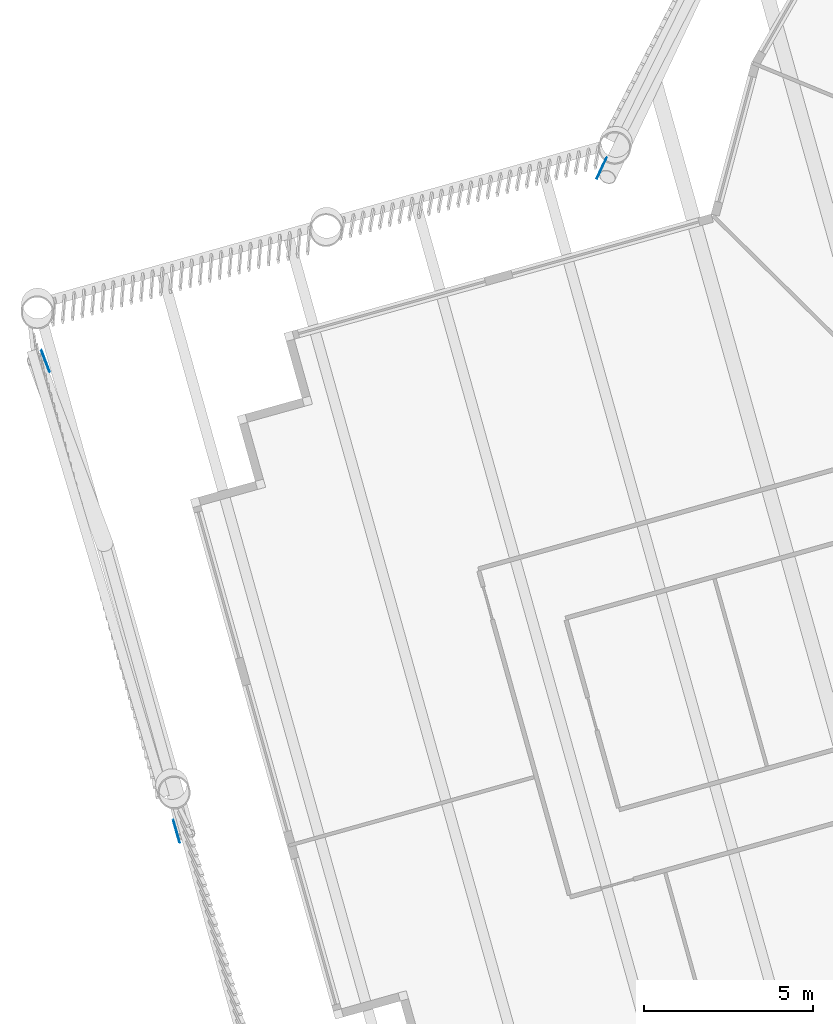
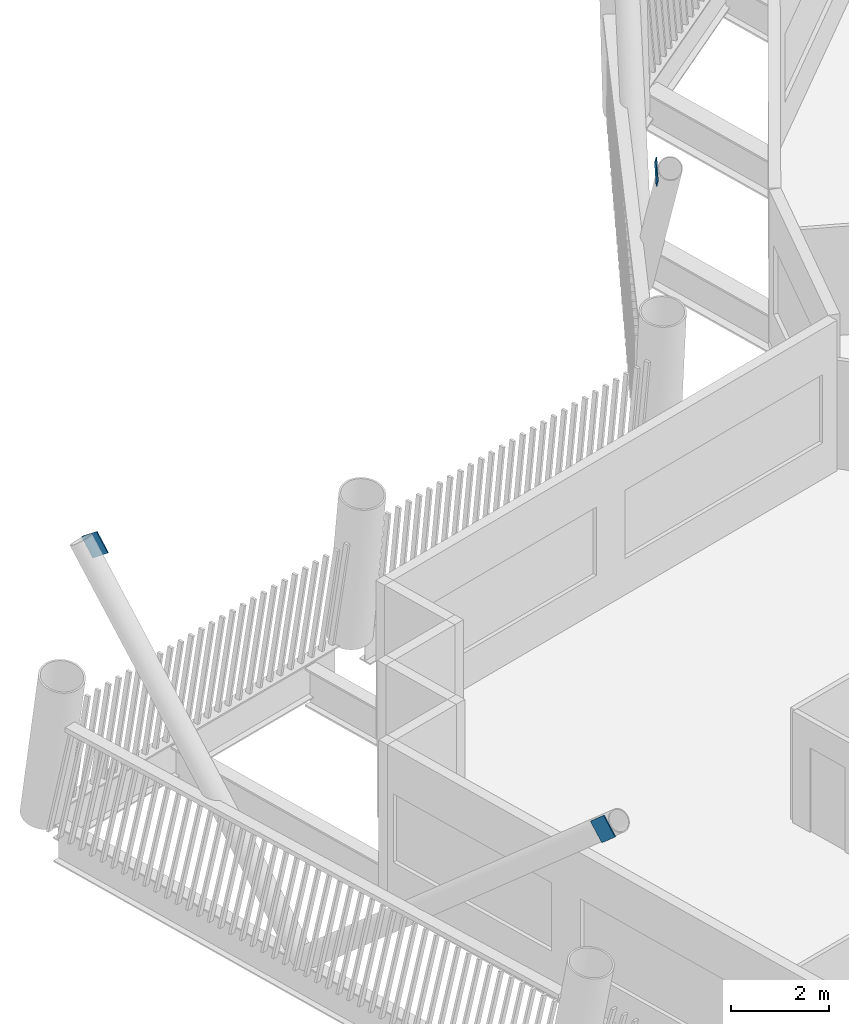
# One storey, part 8 of 21: 3 discrete accessories.
"""IFC4 building model written with IfcOpenShell, lengths in metres."""

from ifc_helpers import new_model, si_unit, direction, frame, origin, origin_2d, place, context, subcontext, project, spatial, rectangle, extrude, material, material_profile, profile_set, type_object, element, save


model = new_model("IFC4")

# Units and contexts
model_context = context("Model", 3, precision=1e-05, world=origin(), true_north=direction((0.0, 1.0)))
body_context = subcontext(model_context, "Body", "Model", "MODEL_VIEW")
ifc_project = project(units=[si_unit("LENGTHUNIT", "METRE"), si_unit("AREAUNIT", "SQUARE_METRE"), si_unit("VOLUMEUNIT", "CUBIC_METRE"), si_unit("PLANEANGLEUNIT", "RADIAN"), si_unit("MASSUNIT", "GRAM", prefix="KILO")], contexts=[model_context])

# Site, building, storey
site_placement = place(None, origin())
site = spatial("IfcSite", under=ifc_project, at=site_placement, CompositionType="ELEMENT")
building_placement = place(site_placement, origin())
building = spatial("IfcBuilding", under=site, at=building_placement, Name="Tarsis Ring Headquarters", CompositionType="ELEMENT")
storey_placement = place(building_placement, frame((0.0, 0.0, 347.0)))
storey = spatial("IfcBuildingStorey", under=building, at=storey_placement, Name="L82", CompositionType="ELEMENT", Elevation=347.0)

# Discrete accessories
ifc_material = material(Name="Structural steel S355", Category="steel")
ifc_material_profile = material_profile(ifc_material, rectangle(XDim=0.02490234375, YDim=0.5, at=origin_2d()), Name="PL 25x500")
ifc_profile_set = profile_set([ifc_material_profile], Name="Structural steel S355")
discrete_accessory_type = type_object("IfcDiscreteAccessoryType", Name="Gusset plate Exo brace 25", PredefinedType="BRACKET", material=ifc_profile_set)
for number, where, z_axis, x_axis, name in (
    (1, (-28.55078125, 6.62353515625, 7.800048828125), (0.288589287449, 0.611360047184, -0.736854881151), (-0.904310613136, 0.426875057798, 0.0), "Gusset plate GP5"),
    (2, (-41.034912109375, -13.07080078125, 7.800048828125), (-0.205094824489, 0.725645021883, -0.656791759376), (-0.962302034243, -0.271983078319, 0.0), "Gusset plate GP5"),
):
    element("IfcDiscreteAccessory", number, at=place(storey_placement, frame(where, z_axis=z_axis, x_axis=x_axis)), inside=storey, type_object=discrete_accessory_type, Name=name, PredefinedType="BRACKET", context=body_context, shape_type="SweptSolid", body=[
        extrude(rectangle(XDim=0.02490234375, YDim=0.5, at=origin_2d()), origin(), (0.0, 0.0, 1.0), 0.5),
    ])
discrete_accessory_placement = place(storey_placement, frame((-45.023681640625, 1.1962890625, 7.800048828125), z_axis=(0.210875467763, -0.562334580702, -0.799569481935), x_axis=(0.936329177569, 0.351123441588, 0.0)))
element("IfcDiscreteAccessory", 3, at=discrete_accessory_placement, inside=storey, type_object=discrete_accessory_type, Name="Gusset plate GP5", PredefinedType="BRACKET", context=body_context, shape_type="SweptSolid", body=[
    extrude(rectangle(XDim=0.02490234375, YDim=0.5, at=origin_2d()), origin(), (0.0, 0.0, 1.0), 0.500244140625),
])

save(model, "model.ifc")
